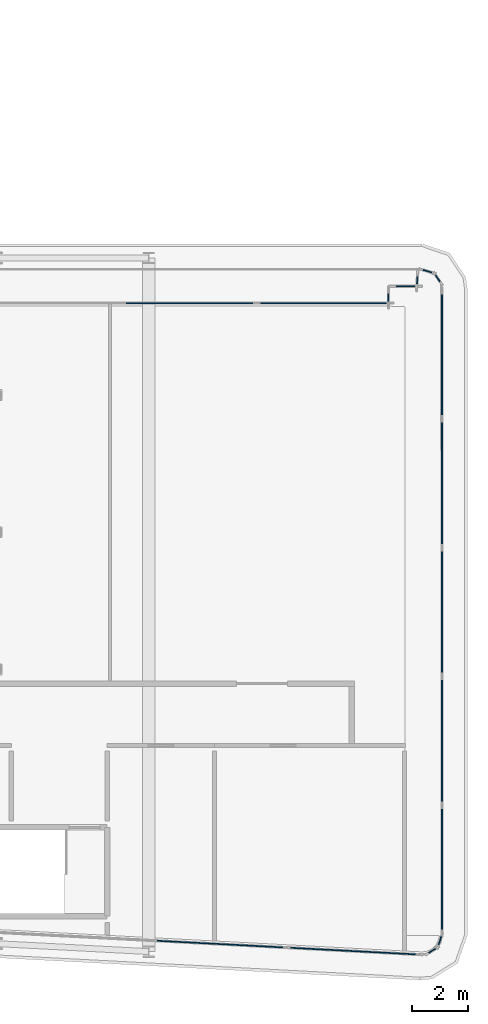
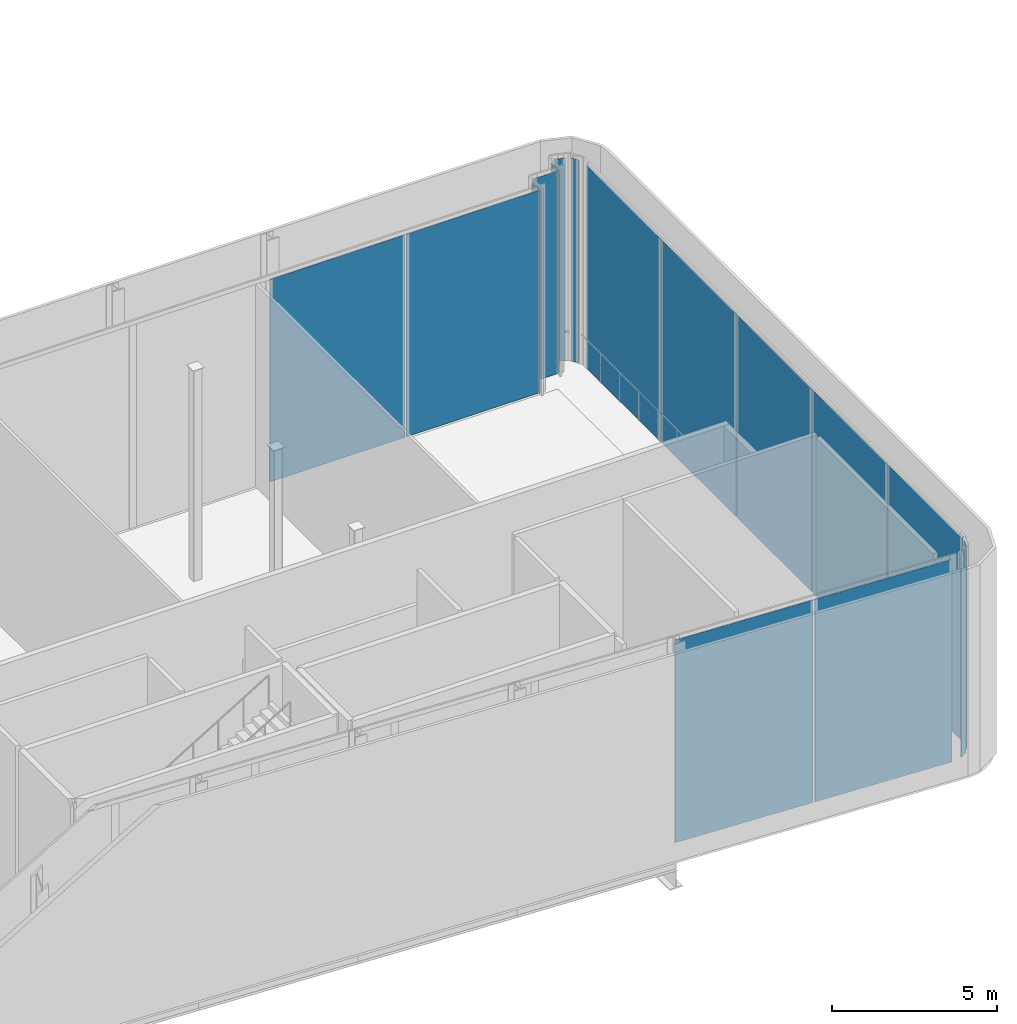
# One storey, part 24 of 38: 16 plates, 10 elements without a shape of their own.
"""IFC4 building model written with IfcOpenShell, lengths in metres."""

from ifc_helpers import new_model, si_unit, direction, frame, origin, origin_2d, place, context, subcontext, project, spatial, rectangle, extrude, material, layer, layer_set, type_object, element, aggregate, save


model = new_model("IFC4")

# Units and contexts
model_context = context("Model", 3, precision=1e-05, world=origin(), true_north=direction((0.0, 1.0)))
body_context = subcontext(model_context, "Body", "Model", "MODEL_VIEW")
ifc_project = project(units=[si_unit("LENGTHUNIT", "METRE"), si_unit("AREAUNIT", "SQUARE_METRE"), si_unit("VOLUMEUNIT", "CUBIC_METRE"), si_unit("PLANEANGLEUNIT", "RADIAN"), si_unit("MASSUNIT", "GRAM", prefix="KILO")], contexts=[model_context])

# Site, building, storey
site_placement = place(None, origin())
site = spatial("IfcSite", under=ifc_project, at=site_placement, CompositionType="ELEMENT")
building_placement = place(site_placement, origin())
building = spatial("IfcBuilding", under=site, at=building_placement, Name="Kheshtan School and Residences Tower", CompositionType="ELEMENT")
storey_placement = place(building_placement, frame((0.0, 0.0, 203.300048828125)))
storey = spatial("IfcBuildingStorey", under=building, at=storey_placement, Name="L48", CompositionType="ELEMENT", Elevation=203.300048828125)

# Curtain wall, plates
ifc_material = material(Name="Clear low-e glass in thermally broken aluminium frame", Category="aluminium")
ifc_layer_1 = layer(ifc_material, 0.25)
ifc_layer_set_1 = layer_set([ifc_layer_1], Name="Curtain wall CW-G")
curtain_wall_type_1 = type_object("IfcCurtainWallType", Name="Curtain wall CW-G", PredefinedType="NOTDEFINED", material=ifc_layer_set_1)
curtain_wall_1_placement = place(storey_placement, origin())
curtain_wall_1 = element("IfcCurtainWall", 1, at=curtain_wall_1_placement, inside=storey, type_object=curtain_wall_type_1, Name="Curtain wall CWG5a", PredefinedType="NOTDEFINED")
ifc_layer_2 = layer(ifc_material, 0.0380859375)
ifc_layer_set_2 = layer_set([ifc_layer_2], Name="CW-G glass panel")
plate_type_1 = type_object("IfcPlateType", Name="CW-G glass panel", PredefinedType="CURTAIN_PANEL", material=ifc_layer_set_2)
plate_1_placement = place(storey_placement, frame((92.239013671875, 44.0, 0.0), z_axis=(0.0, 0.0, 1.0), x_axis=(1.0, 0.0, 0.0)))
plate_1 = element("IfcPlate", 2, at=plate_1_placement, type_object=plate_type_1, Name="CWG5a panel 4.1", PredefinedType="CURTAIN_PANEL", context=body_context, shape_type="SweptSolid", body=[
    extrude(rectangle(XDim=4.714111328125, YDim=0.0380859375, at=origin_2d()), origin(), (0.0, 0.0, 1.0), 7.489990234375),
])
plate_2_placement = place(storey_placement, frame((96.998046875, 44.0, 0.0), z_axis=(0.0, 0.0, 1.0), x_axis=(1.0, 0.0, 0.0)))
plate_2 = element("IfcPlate", 3, at=plate_2_placement, type_object=plate_type_1, Name="CWG5a panel 5.1", PredefinedType="CURTAIN_PANEL", context=body_context, shape_type="SweptSolid", body=[
    extrude(rectangle(XDim=4.68408203125, YDim=0.0380859375, at=origin_2d()), origin(), (0.0, 0.0, 1.0), 7.489990234375),
])
aggregate(curtain_wall_1, [plate_1, plate_2])

# Curtain wall, plate
ifc_layer_3 = layer(ifc_material, 0.25)
ifc_layer_set_3 = layer_set([ifc_layer_3], Name="Curtain wall CW-K")
curtain_wall_type_2 = type_object("IfcCurtainWallType", Name="Curtain wall CW-K", PredefinedType="NOTDEFINED", material=ifc_layer_set_3)
curtain_wall_2_placement = place(storey_placement, origin())
curtain_wall_2 = element("IfcCurtainWall", 4, at=curtain_wall_2_placement, inside=storey, type_object=curtain_wall_type_2, Name="Curtain wall CWK6", PredefinedType="NOTDEFINED")
ifc_layer_4 = layer(ifc_material, 0.0380859375)
ifc_layer_set_4 = layer_set([ifc_layer_4], Name="CW-K glass panel")
plate_type_2 = type_object("IfcPlateType", Name="CW-K glass panel", PredefinedType="CURTAIN_PANEL", material=ifc_layer_set_4)
plate_3_placement = place(storey_placement, frame((99.300048828125, 44.199951171875, 0.0), z_axis=(0.0, 0.0, 1.0), x_axis=(0.0, 1.0, 0.0)))
plate_3 = element("IfcPlate", 5, at=plate_3_placement, type_object=plate_type_2, Name="CWK6 panel 1.1", PredefinedType="CURTAIN_PANEL", context=body_context, shape_type="SweptSolid", body=[
    extrude(rectangle(XDim=0.47998046875, YDim=0.0380859375, at=origin_2d()), origin(), (0.0, 0.0, 1.0), 7.489990234375),
])
aggregate(curtain_wall_2, [plate_3])

curtain_wall_3_placement = place(storey_placement, origin())
curtain_wall_3 = element("IfcCurtainWall", 6, at=curtain_wall_3_placement, inside=storey, type_object=curtain_wall_type_2, Name="Curtain wall CWK7", PredefinedType="NOTDEFINED")
plate_4_placement = place(storey_placement, frame((99.900390625, 44.60009765625, 0.0), z_axis=(0.0, 0.0, 1.0), x_axis=(1.0, 0.0, 0.0)))
plate_4 = element("IfcPlate", 7, at=plate_4_placement, type_object=plate_type_2, Name="CWK7 panel 1.1", PredefinedType="CURTAIN_PANEL", context=body_context, shape_type="SweptSolid", body=[
    extrude(rectangle(XDim=0.881103515625, YDim=0.0380859375, at=origin_2d()), origin(), (0.0, 0.0, 1.0), 7.489990234375),
])
aggregate(curtain_wall_3, [plate_4])

curtain_wall_4_placement = place(storey_placement, origin())
curtain_wall_4 = element("IfcCurtainWall", 8, at=curtain_wall_4_placement, inside=storey, type_object=curtain_wall_type_2, Name="Curtain wall CWK8", PredefinedType="NOTDEFINED")
plate_5_placement = place(storey_placement, frame((100.32080078125, 44.806396484375, 0.0), z_axis=(0.0, 0.0, 1.0), x_axis=(0.06486312108, 0.997894170503, 0.0)))
plate_5 = element("IfcPlate", 9, at=plate_5_placement, type_object=plate_type_2, Name="CWK8 panel 1.1", PredefinedType="CURTAIN_PANEL", context=body_context, shape_type="SweptSolid", body=[
    extrude(rectangle(XDim=0.481201171875, YDim=0.0380859375, at=origin_2d()), origin(), (0.0, 0.0, 1.0), 7.489990234375),
])
aggregate(curtain_wall_4, [plate_5])

curtain_wall_5_placement = place(storey_placement, origin())
curtain_wall_5 = element("IfcCurtainWall", 10, at=curtain_wall_5_placement, inside=storey, type_object=curtain_wall_type_2, Name="Curtain wall CWK9", PredefinedType="NOTDEFINED")
plate_6_placement = place(storey_placement, frame((100.680908203125, 45.1328125, 0.0), z_axis=(0.0, 0.0, 1.0), x_axis=(0.958752584368, -0.284241942661, 0.0)))
plate_6 = element("IfcPlate", 11, at=plate_6_placement, type_object=plate_type_2, Name="CWK9 panel 1.1", PredefinedType="CURTAIN_PANEL", context=body_context, shape_type="SweptSolid", body=[
    extrude(rectangle(XDim=0.3232421875, YDim=0.0380859375, at=origin_2d()), origin(), (0.0, 0.0, 1.0), 7.489990234375),
])
aggregate(curtain_wall_5, [plate_6])

curtain_wall_6_placement = place(storey_placement, origin())
curtain_wall_6 = element("IfcCurtainWall", 12, at=curtain_wall_6_placement, inside=storey, type_object=curtain_wall_type_2, Name="Curtain wall CWK10", PredefinedType="NOTDEFINED")
plate_7_placement = place(storey_placement, frame((101.0546875, 44.8701171875, 0.0), z_axis=(0.0, 0.0, 1.0), x_axis=(0.555301678168, -0.831648992198, 0.0)))
plate_7 = element("IfcPlate", 13, at=plate_7_placement, type_object=plate_type_2, Name="CWK10 panel 1.1", PredefinedType="CURTAIN_PANEL", context=body_context, shape_type="SweptSolid", body=[
    extrude(rectangle(XDim=0.263671875, YDim=0.0380859375, at=origin_2d()), origin(), (0.0, 0.0, 1.0), 7.489990234375),
])
aggregate(curtain_wall_6, [plate_7])

# Curtain wall, plates
curtain_wall_7_placement = place(storey_placement, origin())
curtain_wall_7 = element("IfcCurtainWall", 14, at=curtain_wall_7_placement, inside=storey, type_object=curtain_wall_type_2, Name="Curtain wall CWK11", PredefinedType="NOTDEFINED")
plate_8_placement = place(storey_placement, frame((101.199951171875, 42.169189453125, 0.0), z_axis=(0.0, 0.0, 1.0), x_axis=(0.0, -1.0, 0.0)))
plate_8 = element("IfcPlate", 15, at=plate_8_placement, type_object=plate_type_2, Name="CWK11 panel 1.1", PredefinedType="CURTAIN_PANEL", context=body_context, shape_type="SweptSolid", body=[
    extrude(rectangle(XDim=4.481689453125, YDim=0.0380859375, at=origin_2d()), origin(), (0.0, 0.0, 1.0), 7.489990234375),
])
plate_9_placement = place(storey_placement, frame((101.199951171875, 37.612548828125, 0.0), z_axis=(0.0, 0.0, 1.0), x_axis=(0.0, -1.0, 0.0)))
plate_9 = element("IfcPlate", 16, at=plate_9_placement, type_object=plate_type_2, Name="CWK11 panel 2.1", PredefinedType="CURTAIN_PANEL", context=body_context, shape_type="SweptSolid", body=[
    extrude(rectangle(XDim=4.51171875, YDim=0.0380859375, at=origin_2d()), origin(), (0.0, 0.0, 1.0), 7.489990234375),
])
plate_10_placement = place(storey_placement, frame((101.199951171875, 33.041015625, 0.0), z_axis=(0.0, 0.0, 1.0), x_axis=(0.0, -1.0, 0.0)))
plate_10 = element("IfcPlate", 17, at=plate_10_placement, type_object=plate_type_2, Name="CWK11 panel 3.1", PredefinedType="CURTAIN_PANEL", context=body_context, shape_type="SweptSolid", body=[
    extrude(rectangle(XDim=4.51171875, YDim=0.0380859375, at=origin_2d()), origin(), (0.0, 0.0, 1.0), 7.489990234375),
])
plate_11_placement = place(storey_placement, frame((101.199951171875, 28.469482421875, 0.0), z_axis=(0.0, 0.0, 1.0), x_axis=(0.0, -1.0, 0.0)))
plate_11 = element("IfcPlate", 18, at=plate_11_placement, type_object=plate_type_2, Name="CWK11 panel 4.1", PredefinedType="CURTAIN_PANEL", context=body_context, shape_type="SweptSolid", body=[
    extrude(rectangle(XDim=4.51171875, YDim=0.0380859375, at=origin_2d()), origin(), (0.0, 0.0, 1.0), 7.489990234375),
])
plate_12_placement = place(storey_placement, frame((101.199951171875, 23.912841796875, 0.0), z_axis=(0.0, 0.0, 1.0), x_axis=(0.0, -1.0, 0.0)))
plate_12 = element("IfcPlate", 19, at=plate_12_placement, type_object=plate_type_2, Name="CWK11 panel 5.1", PredefinedType="CURTAIN_PANEL", context=body_context, shape_type="SweptSolid", body=[
    extrude(rectangle(XDim=4.481689453125, YDim=0.0380859375, at=origin_2d()), origin(), (0.0, 0.0, 1.0), 7.489990234375),
])
aggregate(curtain_wall_7, [plate_8, plate_9, plate_10, plate_11, plate_12])

# Curtain wall, plate
curtain_wall_8_placement = place(storey_placement, origin())
curtain_wall_8 = element("IfcCurtainWall", 20, at=curtain_wall_8_placement, inside=storey, type_object=curtain_wall_type_2, Name="Curtain wall CWK12", PredefinedType="NOTDEFINED")
plate_13_placement = place(storey_placement, frame((101.129150390625, 21.37890625, 0.0), z_axis=(0.0, 0.0, 1.0), x_axis=(-0.310575339699, -0.950548766961, 0.0)))
plate_13 = element("IfcPlate", 21, at=plate_13_placement, type_object=plate_type_2, Name="CWK12 panel 1.1", PredefinedType="CURTAIN_PANEL", context=body_context, shape_type="SweptSolid", body=[
    extrude(rectangle(XDim=0.304931640625, YDim=0.0380859375, at=origin_2d()), origin(), (0.0, 0.0, 1.0), 7.489990234375),
])
aggregate(curtain_wall_8, [plate_13])

curtain_wall_9_placement = place(storey_placement, origin())
curtain_wall_9 = element("IfcCurtainWall", 22, at=curtain_wall_9_placement, inside=storey, type_object=curtain_wall_type_2, Name="Curtain wall CWK13", PredefinedType="NOTDEFINED")
plate_14_placement = place(storey_placement, frame((100.850830078125, 21.017578125, 0.0), z_axis=(0.0, 0.0, 1.0), x_axis=(-0.849678775936, -0.527300652118, 0.0)))
plate_14 = element("IfcPlate", 23, at=plate_14_placement, type_object=plate_type_2, Name="CWK13 panel 1.1", PredefinedType="CURTAIN_PANEL", context=body_context, shape_type="SweptSolid", body=[
    extrude(rectangle(XDim=0.280029296875, YDim=0.0380859375, at=origin_2d()), origin(), (0.0, 0.0, 1.0), 7.489990234375),
])
aggregate(curtain_wall_9, [plate_14])

# Curtain wall, plates
curtain_wall_10_placement = place(storey_placement, origin())
curtain_wall_10 = element("IfcCurtainWall", 24, at=curtain_wall_10_placement, inside=storey, type_object=curtain_wall_type_2, Name="Curtain wall CWK14", PredefinedType="NOTDEFINED")
plate_15_placement = place(storey_placement, frame((98.04736328125, 21.0087890625, 0.0), z_axis=(0.0, 0.0, 1.0), x_axis=(-0.998617247391, 0.052569888839, 0.0)))
plate_15 = element("IfcPlate", 25, at=plate_15_placement, type_object=plate_type_2, Name="CWK14 panel 1.1", PredefinedType="CURTAIN_PANEL", context=body_context, shape_type="SweptSolid", body=[
    extrude(rectangle(XDim=4.657470703125, YDim=0.0380859375, at=origin_2d()), origin(), (0.0, 0.0, 1.0), 7.489990234375),
])
plate_16_placement = place(storey_placement, frame((93.321533203125, 21.257568359375, 0.0), z_axis=(0.0, 0.0, 1.0), x_axis=(-0.998617247391, 0.052569888839, 0.0)))
plate_16 = element("IfcPlate", 26, at=plate_16_placement, type_object=plate_type_2, Name="CWK14 panel 2.1", PredefinedType="CURTAIN_PANEL", context=body_context, shape_type="SweptSolid", body=[
    extrude(rectangle(XDim=4.6875, YDim=0.0380859375, at=origin_2d()), origin(), (0.0, 0.0, 1.0), 7.489990234375),
])
aggregate(curtain_wall_10, [plate_15, plate_16])

save(model, "model.ifc")
